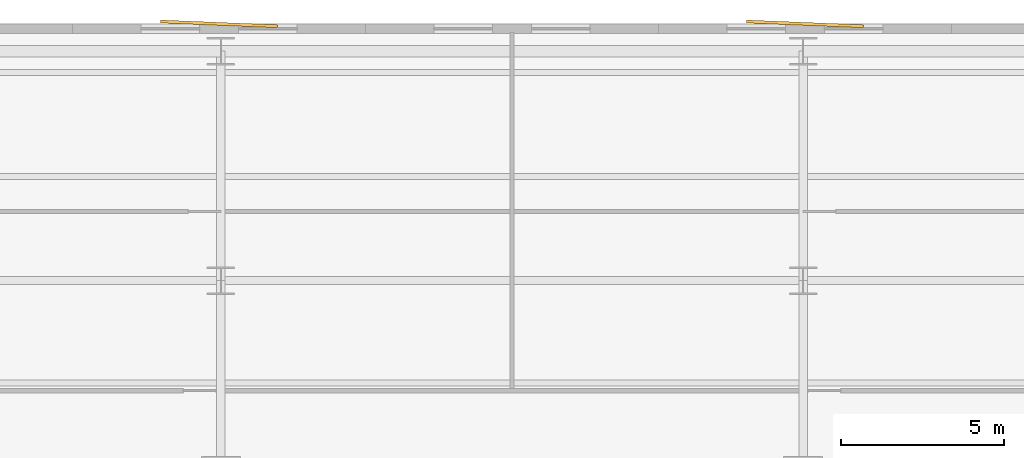
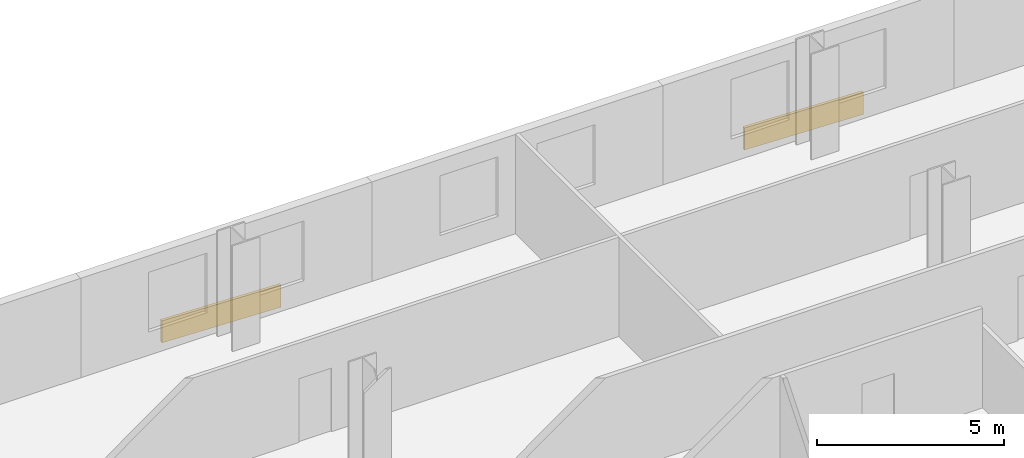
# One storey, part 10 of 10: 2 coverings.
"""IFC4 building model written with IfcOpenShell, lengths in metres."""

from ifc_helpers import new_model, si_unit, direction, frame, origin, origin_2d, place, context, subcontext, project, spatial, rectangle, extrude, material, layer, layer_set, type_object, element, save


model = new_model("IFC4")

# Units and contexts
model_context = context("Model", 3, precision=1e-05, world=origin(), true_north=direction((0.0, 1.0)))
body_context = subcontext(model_context, "Body", "Model", "MODEL_VIEW")
ifc_project = project(units=[si_unit("LENGTHUNIT", "METRE"), si_unit("AREAUNIT", "SQUARE_METRE"), si_unit("VOLUMEUNIT", "CUBIC_METRE"), si_unit("PLANEANGLEUNIT", "RADIAN"), si_unit("MASSUNIT", "GRAM", prefix="KILO")], contexts=[model_context])

# Site, building, storey
site_placement = place(None, origin())
site = spatial("IfcSite", under=ifc_project, at=site_placement, CompositionType="ELEMENT")
building_placement = place(site_placement, origin())
building = spatial("IfcBuilding", under=site, at=building_placement, Name="Velakula Bourse", CompositionType="ELEMENT")
storey_placement = place(building_placement, frame((0.0, 0.0, 51.89990234375)))
storey = spatial("IfcBuildingStorey", under=building, at=storey_placement, Name="L13", CompositionType="ELEMENT", Elevation=51.89990234375)

# Coverings
ifc_material = material(Name="Red kilned clay facing brick masonry", Category="masonry")
ifc_layer = layer(ifc_material, 0.090087890625, Name="Red kilned clay facing brick masonry", Category="masonry")
ifc_layer_set = layer_set([ifc_layer], Name="Red kilned clay facing brick masonry")
covering_type = type_object("IfcCoveringType", Name="COV-BRK-FOLD-90", PredefinedType="CLADDING", material=ifc_layer_set)
for number, where, z_axis, x_axis, name in (
    (1, (-9.0, 22.489990234375, 0.0), (0.0, 0.0, 1.0), (0.999158993058, -0.041003738744, 0.0), "L13 Folded Brick Facade Cladding Panel N-B2"),
    (2, (9.0, 22.489990234375, 0.0), (0.0, 0.0, 1.0), (0.999158993058, -0.041003738744, 0.0), "L13 Folded Brick Facade Cladding Panel N-B4"),
):
    element("IfcCovering", number, at=place(storey_placement, frame(where, z_axis=z_axis, x_axis=x_axis)), inside=storey, type_object=covering_type, Name=name, PredefinedType="CLADDING", context=body_context, shape_type="SweptSolid", body=[
        extrude(rectangle(XDim=3.60009765625, YDim=0.090087890625, at=origin_2d()), origin(), (0.0, 0.0, 1.0), 0.719970703125),
    ])

save(model, "model.ifc")
